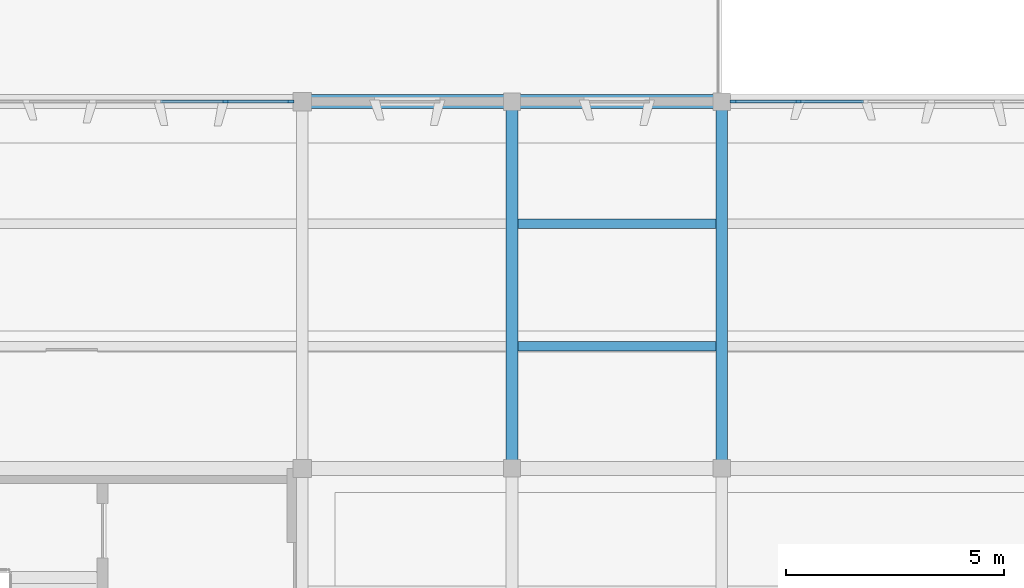
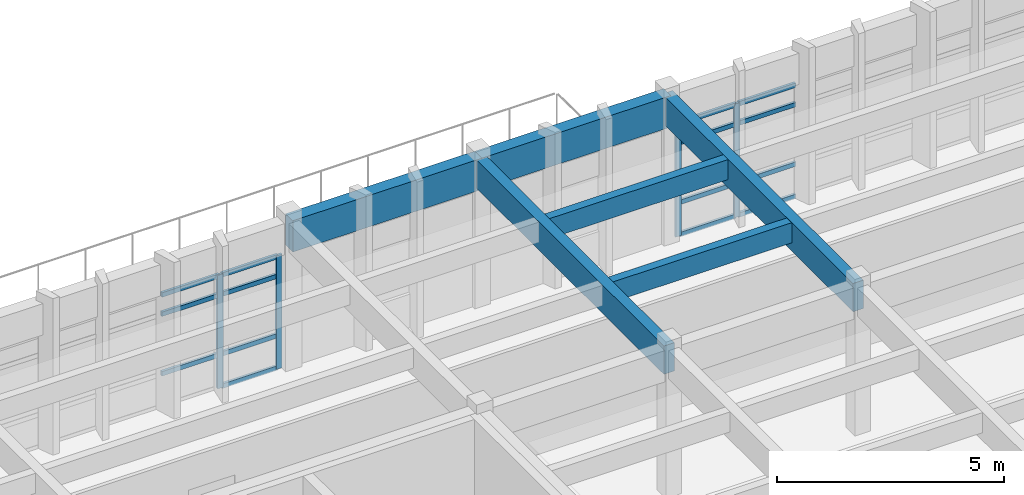
# One storey, part 19 of 61: 19 members, 6 beams, 2 elements without a shape of their own.
"""IFC4 building model written with IfcOpenShell, lengths in metres."""

from ifc_helpers import new_model, si_unit, direction, frame, origin, origin_2d, place, context, subcontext, project, spatial, rectangle, extrude, material, layer, layer_set, material_profile, profile_set, type_object, element, aggregate, save


model = new_model("IFC4")

# Units and contexts
model_context = context("Model", 3, precision=1e-05, world=origin(), true_north=direction((0.0, 1.0)))
body_context = subcontext(model_context, "Body", "Model", "MODEL_VIEW")
ifc_project = project(units=[si_unit("LENGTHUNIT", "METRE"), si_unit("AREAUNIT", "SQUARE_METRE"), si_unit("VOLUMEUNIT", "CUBIC_METRE"), si_unit("PLANEANGLEUNIT", "RADIAN"), si_unit("MASSUNIT", "GRAM", prefix="KILO")], contexts=[model_context])

# Site, building, storey
site_placement = place(None, origin())
site = spatial("IfcSite", under=ifc_project, at=site_placement, CompositionType="ELEMENT")
building_placement = place(site_placement, origin())
building = spatial("IfcBuilding", under=site, at=building_placement, Name="Kolvemor Railside Polytechnic", CompositionType="ELEMENT")
storey_placement = place(building_placement, frame((0.0, 0.0, 10.199951171875)))
storey = spatial("IfcBuildingStorey", under=building, at=storey_placement, Name="L02", CompositionType="ELEMENT", Elevation=10.199951171875)

# Beams
ifc_material_1 = material(Name="Glulam GL28h", Category="wood")
ifc_material_profile_1 = material_profile(ifc_material_1, rectangle(XDim=0.264892578125, YDim=0.760009765625, at=origin_2d()), Name="GL265x760")
ifc_profile_set_1 = profile_set([ifc_material_profile_1], Name="Glulam GL28h")
beam_type_1 = type_object("IfcBeamType", Name="BM-GL-GIRD1", PredefinedType="BEAM", material=ifc_profile_set_1)
for number, where, z_axis, x_axis, name in (
    (1, (120.0, 30.0, 3.570068359375), (0.0, 1.0, 0.0), (-1.0, 0.0, 0.0), "Primary Girder L03-GY 1296"),
    (2, (124.800048828125, 30.0, 3.570068359375), (0.0, 1.0, 0.0), (-1.0, 0.0, 0.0), "Primary Girder L03-GY 1300"),
):
    element("IfcBeam", number, at=place(storey_placement, frame(where, z_axis=z_axis, x_axis=x_axis)), inside=storey, type_object=beam_type_1, Name=name, PredefinedType="BEAM", context=body_context, shape_type="SweptSolid", body=[
        extrude(rectangle(XDim=0.264892578125, YDim=0.760009765625, at=origin_2d()), origin(), (0.0, 0.0, 1.0), 8.39990234375),
    ])
ifc_material_2 = material(Name="Glulam GL28h", Category="wood")
ifc_material_profile_2 = material_profile(ifc_material_2, rectangle(XDim=0.31494140625, YDim=0.840087890625, at=origin_2d()), Name="GL315x840")
ifc_profile_set_2 = profile_set([ifc_material_profile_2], Name="Glulam GL28h")
beam_type_2 = type_object("IfcBeamType", Name="BM-GL-GIRD3", PredefinedType="BEAM", material=ifc_profile_set_2)
for number, where, z_axis, x_axis, name in (
    (3, (115.199951171875, 38.39990234375, 3.530029296875), (1.0, 0.0, 0.0), (0.0, 1.0, 0.0), "Primary Girder L03-GX 1259"),
    (4, (120.0, 38.39990234375, 3.530029296875), (1.0, 0.0, 0.0), (0.0, 1.0, 0.0), "Primary Girder L03-GX 1260"),
):
    element("IfcBeam", number, at=place(storey_placement, frame(where, z_axis=z_axis, x_axis=x_axis)), inside=storey, type_object=beam_type_2, Name=name, PredefinedType="BEAM", context=body_context, shape_type="SweptSolid", body=[
        extrude(rectangle(XDim=0.31494140625, YDim=0.840087890625, at=origin_2d()), origin(), (0.0, 0.0, 1.0), 4.800048828125),
    ])
ifc_material_3 = material(Name="Glulam GL28h", Category="wood")
ifc_material_profile_3 = material_profile(ifc_material_3, rectangle(XDim=0.215087890625, YDim=0.5400390625, at=origin_2d()), Name="GL215x540")
ifc_profile_set_3 = profile_set([ifc_material_profile_3], Name="Glulam GL28h")
beam_type_3 = type_object("IfcBeamType", Name="BM-GL-JST1", PredefinedType="JOIST", material=ifc_profile_set_3)
for number, where, z_axis, x_axis, name in (
    (5, (120.133056640625, 32.800048828125, 3.679931640625), (1.0, 0.0, 0.0), (0.0, 1.0, 0.0), "Floor Joist L03-J1365"),
    (6, (120.133056640625, 35.60009765625, 3.679931640625), (1.0, 0.0, 0.0), (0.0, 1.0, 0.0), "Floor Joist L03-J1366"),
):
    element("IfcBeam", number, at=place(storey_placement, frame(where, z_axis=z_axis, x_axis=x_axis)), inside=storey, type_object=beam_type_3, Name=name, PredefinedType="JOIST", context=body_context, shape_type="SweptSolid", body=[
        extrude(rectangle(XDim=0.215087890625, YDim=0.5400390625, at=origin_2d()), origin(), (0.0, 0.0, 1.0), 4.533935546875),
    ])

# Curtain wall, members
ifc_material_4 = material(Name="Anodised marine aluminium and laminated low-E glass", Category="aluminium")
ifc_layer = layer(ifc_material_4, 0.179931640625, Name="CW-UNIT-STD")
ifc_layer_set = layer_set([ifc_layer], Name="Anodised marine aluminium and laminated low-E glass")
curtain_wall_type = type_object("IfcCurtainWallType", Name="CW-UNIT-STD", PredefinedType="USERDEFINED", material=ifc_layer_set)
curtain_wall_1_placement = place(storey_placement, origin())
curtain_wall_1 = element("IfcCurtainWall", 7, at=curtain_wall_1_placement, inside=storey, type_object=curtain_wall_type, Name="Curtain Wall L02-124", ObjectType="UNITISED CURTAIN WALL", PredefinedType="USERDEFINED")
ifc_material_5 = material(Name="Anodised marine aluminium 6063-T6", Category="aluminium")
ifc_material_profile_4 = material_profile(ifc_material_5, rectangle(XDim=0.06494140625, YDim=0.14990234375, at=origin_2d()), Name="CW-MUL-65x150")
ifc_profile_set_4 = profile_set([ifc_material_profile_4], Name="Anodised marine aluminium 6063-T6")
member_type_1 = type_object("IfcMemberType", Name="CWM-65x150", PredefinedType="MULLION", material=ifc_profile_set_4)
member_1_placement = place(storey_placement, frame((114.927490234375, 38.39990234375, 0.0), z_axis=(0.0, 0.0, 1.0), x_axis=(0.0, -1.0, 0.0)))
member_1 = element("IfcMember", 8, at=member_1_placement, type_object=member_type_1, Name="CW-STD mullion 1", PredefinedType="MULLION", context=body_context, shape_type="SweptSolid", body=[
    extrude(rectangle(XDim=0.06494140625, YDim=0.14990234375, at=origin_2d()), origin(), (0.0, 0.0, 1.0), 3.050048828125),
])
member_2_placement = place(storey_placement, frame((113.43994140625, 38.39990234375, 0.0), z_axis=(0.0, 0.0, 1.0), x_axis=(0.0, -1.0, 0.0)))
member_2 = element("IfcMember", 9, at=member_2_placement, type_object=member_type_1, Name="CW-STD mullion 2", PredefinedType="MULLION", context=body_context, shape_type="SweptSolid", body=[
    extrude(rectangle(XDim=0.06494140625, YDim=0.14990234375, at=origin_2d()), origin(), (0.0, 0.0, 1.0), 3.050048828125),
])

curtain_wall_2_placement = place(storey_placement, origin())
curtain_wall_2 = element("IfcCurtainWall", 10, at=curtain_wall_2_placement, inside=storey, type_object=curtain_wall_type, Name="Curtain Wall L02-125", ObjectType="UNITISED CURTAIN WALL", PredefinedType="USERDEFINED")
member_3_placement = place(storey_placement, frame((126.56005859375, 38.39990234375, 0.0), z_axis=(0.0, 0.0, 1.0), x_axis=(0.0, -1.0, 0.0)))
member_3 = element("IfcMember", 11, at=member_3_placement, type_object=member_type_1, Name="CW-STD mullion 6", PredefinedType="MULLION", context=body_context, shape_type="SweptSolid", body=[
    extrude(rectangle(XDim=0.06494140625, YDim=0.14990234375, at=origin_2d()), origin(), (0.0, 0.0, 1.0), 3.050048828125),
])
member_4_placement = place(storey_placement, frame((125.072509765625, 38.39990234375, 0.0), z_axis=(0.0, 0.0, 1.0), x_axis=(0.0, -1.0, 0.0)))
member_4 = element("IfcMember", 12, at=member_4_placement, type_object=member_type_1, Name="CW-STD mullion 7", PredefinedType="MULLION", context=body_context, shape_type="SweptSolid", body=[
    extrude(rectangle(XDim=0.06494140625, YDim=0.14990234375, at=origin_2d()), origin(), (0.0, 0.0, 1.0), 3.050048828125),
])

# Member
ifc_material_6 = material(Name="Anodised marine aluminium 6063-T6", Category="aluminium")
ifc_material_profile_5 = material_profile(ifc_material_6, rectangle(XDim=0.06494140625, YDim=0.1201171875, at=origin_2d()), Name="CW-TRN-65x120")
ifc_profile_set_5 = profile_set([ifc_material_profile_5], Name="Anodised marine aluminium 6063-T6")
member_type_2 = type_object("IfcMemberType", Name="CWT-65x120", PredefinedType="USERDEFINED", material=ifc_profile_set_5)
member_5_placement = place(storey_placement, frame((114.89501953125, 38.39990234375, 0.032470703125), z_axis=(-1.0, 0.0, 0.0), x_axis=(0.0, -1.0, 0.0)))
member_5 = element("IfcMember", 13, at=member_5_placement, type_object=member_type_2, Name="CW-STD transom 1.1", ObjectType="TRANSOM", PredefinedType="USERDEFINED", context=body_context, shape_type="SweptSolid", body=[
    extrude(rectangle(XDim=0.06494140625, YDim=0.1201171875, at=origin_2d()), origin(), (0.0, 0.0, 1.0), 1.422607421875),
])

member_6_placement = place(storey_placement, frame((114.89501953125, 38.39990234375, 0.900146484375), z_axis=(-1.0, 0.0, 0.0), x_axis=(0.0, -1.0, 0.0)))
member_6 = element("IfcMember", 14, at=member_6_placement, type_object=member_type_2, Name="CW-STD transom 1.2", ObjectType="TRANSOM", PredefinedType="USERDEFINED", context=body_context, shape_type="SweptSolid", body=[
    extrude(rectangle(XDim=0.06494140625, YDim=0.1201171875, at=origin_2d()), origin(), (0.0, 0.0, 1.0), 1.422607421875),
])

member_7_placement = place(storey_placement, frame((114.89501953125, 38.39990234375, 2.5), z_axis=(-1.0, 0.0, 0.0), x_axis=(0.0, -1.0, 0.0)))
member_7 = element("IfcMember", 15, at=member_7_placement, type_object=member_type_2, Name="CW-STD transom 1.3", ObjectType="TRANSOM", PredefinedType="USERDEFINED", context=body_context, shape_type="SweptSolid", body=[
    extrude(rectangle(XDim=0.06494140625, YDim=0.1201171875, at=origin_2d()), origin(), (0.0, 0.0, 1.0), 1.422607421875),
])

member_8_placement = place(storey_placement, frame((114.89501953125, 38.39990234375, 3.017578125), z_axis=(-1.0, 0.0, 0.0), x_axis=(0.0, -1.0, 0.0)))
member_8 = element("IfcMember", 16, at=member_8_placement, type_object=member_type_2, Name="CW-STD transom 1.4", ObjectType="TRANSOM", PredefinedType="USERDEFINED", context=body_context, shape_type="SweptSolid", body=[
    extrude(rectangle(XDim=0.06494140625, YDim=0.1201171875, at=origin_2d()), origin(), (0.0, 0.0, 1.0), 1.422607421875),
])

member_9_placement = place(storey_placement, frame((113.407470703125, 38.39990234375, 0.900146484375), z_axis=(-1.0, 0.0, 0.0), x_axis=(0.0, -1.0, 0.0)))
member_9 = element("IfcMember", 17, at=member_9_placement, type_object=member_type_2, Name="CW-STD transom 2.2", ObjectType="TRANSOM", PredefinedType="USERDEFINED", context=body_context, shape_type="SweptSolid", body=[
    extrude(rectangle(XDim=0.06494140625, YDim=0.1201171875, at=origin_2d()), origin(), (0.0, 0.0, 1.0), 1.455078125),
])

member_10_placement = place(storey_placement, frame((113.407470703125, 38.39990234375, 2.5), z_axis=(-1.0, 0.0, 0.0), x_axis=(0.0, -1.0, 0.0)))
member_10 = element("IfcMember", 18, at=member_10_placement, type_object=member_type_2, Name="CW-STD transom 2.3", ObjectType="TRANSOM", PredefinedType="USERDEFINED", context=body_context, shape_type="SweptSolid", body=[
    extrude(rectangle(XDim=0.06494140625, YDim=0.1201171875, at=origin_2d()), origin(), (0.0, 0.0, 1.0), 1.455078125),
])

member_11_placement = place(storey_placement, frame((113.407470703125, 38.39990234375, 3.017578125), z_axis=(-1.0, 0.0, 0.0), x_axis=(0.0, -1.0, 0.0)))
member_11 = element("IfcMember", 19, at=member_11_placement, type_object=member_type_2, Name="CW-STD transom 2.4", ObjectType="TRANSOM", PredefinedType="USERDEFINED", context=body_context, shape_type="SweptSolid", body=[
    extrude(rectangle(XDim=0.06494140625, YDim=0.1201171875, at=origin_2d()), origin(), (0.0, 0.0, 1.0), 1.455078125),
])

aggregate(curtain_wall_1, [member_1, member_2, member_5, member_6, member_7, member_8, member_9, member_10, member_11])

member_12_placement = place(storey_placement, frame((128.047607421875, 38.39990234375, 0.032470703125), z_axis=(-1.0, 0.0, 0.0), x_axis=(0.0, -1.0, 0.0)))
member_12 = element("IfcMember", 20, at=member_12_placement, type_object=member_type_2, Name="CW-STD transom 5.1", ObjectType="TRANSOM", PredefinedType="USERDEFINED", context=body_context, shape_type="SweptSolid", body=[
    extrude(rectangle(XDim=0.06494140625, YDim=0.1201171875, at=origin_2d()), origin(), (0.0, 0.0, 1.0), 1.455078125),
])

member_13_placement = place(storey_placement, frame((128.047607421875, 38.39990234375, 0.900146484375), z_axis=(-1.0, 0.0, 0.0), x_axis=(0.0, -1.0, 0.0)))
member_13 = element("IfcMember", 21, at=member_13_placement, type_object=member_type_2, Name="CW-STD transom 5.2", ObjectType="TRANSOM", PredefinedType="USERDEFINED", context=body_context, shape_type="SweptSolid", body=[
    extrude(rectangle(XDim=0.06494140625, YDim=0.1201171875, at=origin_2d()), origin(), (0.0, 0.0, 1.0), 1.455078125),
])

member_14_placement = place(storey_placement, frame((128.047607421875, 38.39990234375, 2.5), z_axis=(-1.0, 0.0, 0.0), x_axis=(0.0, -1.0, 0.0)))
member_14 = element("IfcMember", 22, at=member_14_placement, type_object=member_type_2, Name="CW-STD transom 5.3", ObjectType="TRANSOM", PredefinedType="USERDEFINED", context=body_context, shape_type="SweptSolid", body=[
    extrude(rectangle(XDim=0.06494140625, YDim=0.1201171875, at=origin_2d()), origin(), (0.0, 0.0, 1.0), 1.455078125),
])

member_15_placement = place(storey_placement, frame((128.047607421875, 38.39990234375, 3.017578125), z_axis=(-1.0, 0.0, 0.0), x_axis=(0.0, -1.0, 0.0)))
member_15 = element("IfcMember", 23, at=member_15_placement, type_object=member_type_2, Name="CW-STD transom 5.4", ObjectType="TRANSOM", PredefinedType="USERDEFINED", context=body_context, shape_type="SweptSolid", body=[
    extrude(rectangle(XDim=0.06494140625, YDim=0.1201171875, at=origin_2d()), origin(), (0.0, 0.0, 1.0), 1.455078125),
])

member_16_placement = place(storey_placement, frame((126.527587890625, 38.39990234375, 0.032470703125), z_axis=(-1.0, 0.0, 0.0), x_axis=(0.0, -1.0, 0.0)))
member_16 = element("IfcMember", 24, at=member_16_placement, type_object=member_type_2, Name="CW-STD transom 6.1", ObjectType="TRANSOM", PredefinedType="USERDEFINED", context=body_context, shape_type="SweptSolid", body=[
    extrude(rectangle(XDim=0.06494140625, YDim=0.1201171875, at=origin_2d()), origin(), (0.0, 0.0, 1.0), 1.422607421875),
])

member_17_placement = place(storey_placement, frame((126.527587890625, 38.39990234375, 0.900146484375), z_axis=(-1.0, 0.0, 0.0), x_axis=(0.0, -1.0, 0.0)))
member_17 = element("IfcMember", 25, at=member_17_placement, type_object=member_type_2, Name="CW-STD transom 6.2", ObjectType="TRANSOM", PredefinedType="USERDEFINED", context=body_context, shape_type="SweptSolid", body=[
    extrude(rectangle(XDim=0.06494140625, YDim=0.1201171875, at=origin_2d()), origin(), (0.0, 0.0, 1.0), 1.422607421875),
])

member_18_placement = place(storey_placement, frame((126.527587890625, 38.39990234375, 2.5), z_axis=(-1.0, 0.0, 0.0), x_axis=(0.0, -1.0, 0.0)))
member_18 = element("IfcMember", 26, at=member_18_placement, type_object=member_type_2, Name="CW-STD transom 6.3", ObjectType="TRANSOM", PredefinedType="USERDEFINED", context=body_context, shape_type="SweptSolid", body=[
    extrude(rectangle(XDim=0.06494140625, YDim=0.1201171875, at=origin_2d()), origin(), (0.0, 0.0, 1.0), 1.422607421875),
])

member_19_placement = place(storey_placement, frame((126.527587890625, 38.39990234375, 3.017578125), z_axis=(-1.0, 0.0, 0.0), x_axis=(0.0, -1.0, 0.0)))
member_19 = element("IfcMember", 27, at=member_19_placement, type_object=member_type_2, Name="CW-STD transom 6.4", ObjectType="TRANSOM", PredefinedType="USERDEFINED", context=body_context, shape_type="SweptSolid", body=[
    extrude(rectangle(XDim=0.06494140625, YDim=0.1201171875, at=origin_2d()), origin(), (0.0, 0.0, 1.0), 1.422607421875),
])

aggregate(curtain_wall_2, [member_3, member_4, member_12, member_13, member_14, member_15, member_16, member_17, member_18, member_19])

save(model, "model.ifc")
